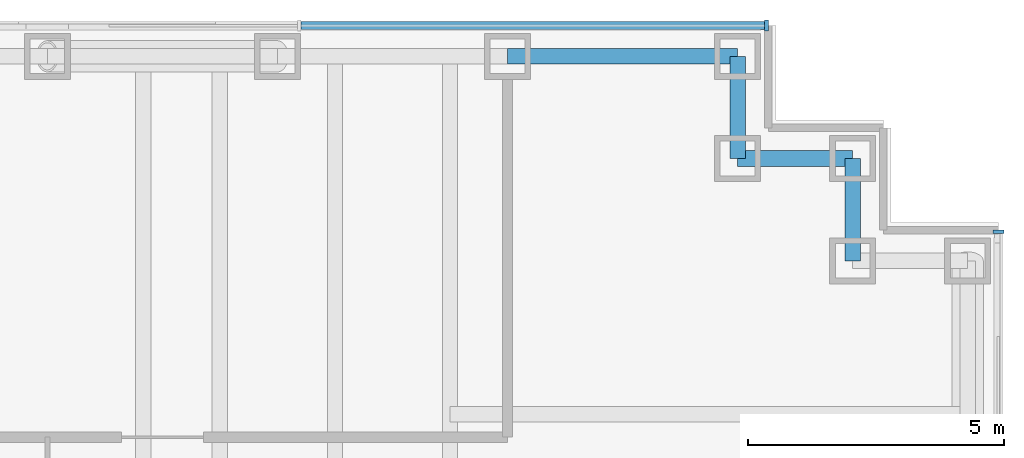
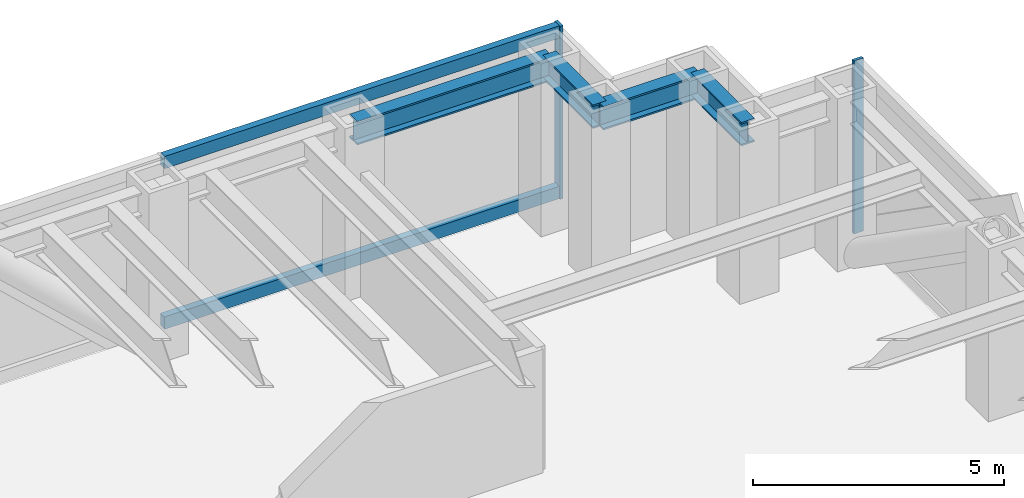
# One storey, part 9 of 15: 4 beams, 4 members, 2 elements without a shape of their own.
"""IFC4 building model written with IfcOpenShell, lengths in metres."""

from ifc_helpers import new_model, si_unit, direction, frame, origin, origin_2d, place, context, subcontext, project, spatial, rectangle, i_section, extrude, material, material_profile, profile_set, type_object, element, aggregate, save


model = new_model("IFC4")

# Units and contexts
model_context = context("Model", 3, precision=1e-05, world=origin(), true_north=direction((0.0, 1.0)))
body_context = subcontext(model_context, "Body", "Model", "MODEL_VIEW")
ifc_project = project(units=[si_unit("LENGTHUNIT", "METRE"), si_unit("AREAUNIT", "SQUARE_METRE"), si_unit("VOLUMEUNIT", "CUBIC_METRE"), si_unit("PLANEANGLEUNIT", "RADIAN"), si_unit("MASSUNIT", "GRAM", prefix="KILO")], contexts=[model_context])

# Site, building, storey
site_placement = place(None, origin())
site = spatial("IfcSite", under=ifc_project, at=site_placement, CompositionType="ELEMENT")
building_placement = place(site_placement, origin())
building = spatial("IfcBuilding", under=site, at=building_placement, Name="Rheinbord Bourse Tower", CompositionType="ELEMENT")
storey_placement = place(building_placement, frame((0.0, 0.0, 104.699951171875)))
storey = spatial("IfcBuildingStorey", under=building, at=storey_placement, Name="L22", CompositionType="ELEMENT", Elevation=104.699951171875)

# Curtain wall, member
ifc_material_1 = material(Name="Dark glass and black aluminium", Category="aluminium")
curtain_wall_type = type_object("IfcCurtainWallType", Name="CW2 DARK GLASS CURTAIN WALL", PredefinedType="USERDEFINED", material=ifc_material_1)
curtain_wall_1_placement = place(storey_placement, origin())
curtain_wall_1 = element("IfcCurtainWall", 1, at=curtain_wall_1_placement, inside=storey, type_object=curtain_wall_type, Name="Curtain wall CW2 E L22", ObjectType="UNITISED CURTAIN WALL", PredefinedType="USERDEFINED")
ifc_material_2 = material(Name="Black anodised aluminium", Category="aluminium")
ifc_material_profile_1 = material_profile(ifc_material_2, rectangle(XDim=0.219970703125, YDim=0.070068359375, at=origin_2d()), Name="CW2 MULLION 70x220")
ifc_profile_set_1 = profile_set([ifc_material_profile_1], Name="Black anodised aluminium")
member_type_1 = type_object("IfcMemberType", Name="CW2 BLACK MULLION", PredefinedType="MULLION", material=ifc_profile_set_1)
member_1_placement = place(storey_placement, frame((72.60009765625, 42.56494140625, 0.0), z_axis=(0.0, 0.0, 1.0), x_axis=(-1.0, 0.0, 0.0)))
member_1 = element("IfcMember", 2, at=member_1_placement, type_object=member_type_1, Name="CW2 mullion 6", PredefinedType="MULLION", context=body_context, shape_type="SweptSolid", body=[
    extrude(rectangle(XDim=0.219970703125, YDim=0.070068359375, at=origin_2d()), origin(), (0.0, 0.0, 1.0), 4.199951171875),
])
aggregate(curtain_wall_1, [member_1])

# Curtain wall, members
curtain_wall_2_placement = place(storey_placement, origin())
curtain_wall_2 = element("IfcCurtainWall", 3, at=curtain_wall_2_placement, inside=storey, type_object=curtain_wall_type, Name="Curtain wall CW2 N L22", ObjectType="UNITISED CURTAIN WALL", PredefinedType="USERDEFINED")
member_2_placement = place(storey_placement, frame((68.06494140625, 46.60009765625, 0.0), z_axis=(0.0, 0.0, 1.0), x_axis=(0.0, -1.0, 0.0)))
member_2 = element("IfcMember", 4, at=member_2_placement, type_object=member_type_1, Name="CW2 mullion 1", PredefinedType="MULLION", context=body_context, shape_type="SweptSolid", body=[
    extrude(rectangle(XDim=0.219970703125, YDim=0.070068359375, at=origin_2d()), origin(), (0.0, 0.0, 1.0), 4.199951171875),
])
ifc_material_3 = material(Name="Black anodised aluminium", Category="aluminium")
ifc_material_profile_2 = material_profile(ifc_material_3, rectangle(XDim=0.159912109375, YDim=0.300048828125, at=origin_2d()), Name="CW2 TRANSOM 300x160")
ifc_profile_set_2 = profile_set([ifc_material_profile_2], Name="Black anodised aluminium")
member_type_2 = type_object("IfcMemberType", Name="CW2 BLACK TRANSOM", PredefinedType="USERDEFINED", material=ifc_profile_set_2)
member_3_placement = place(storey_placement, frame((68.030029296875, 46.60009765625, 0.150146484375), z_axis=(-1.0, 0.0, 0.0), x_axis=(0.0, -1.0, 0.0)))
member_3 = element("IfcMember", 5, at=member_3_placement, type_object=member_type_2, Name="CW2 transom 1.1", ObjectType="TRANSOM", PredefinedType="USERDEFINED", context=body_context, shape_type="SweptSolid", body=[
    extrude(rectangle(XDim=0.159912109375, YDim=0.300048828125, at=origin_2d()), origin(), (0.0, 0.0, 1.0), 9.06640625),
])
member_4_placement = place(storey_placement, frame((68.030029296875, 46.60009765625, 4.050048828125), z_axis=(-1.0, 0.0, 0.0), x_axis=(0.0, -1.0, 0.0)))
member_4 = element("IfcMember", 6, at=member_4_placement, type_object=member_type_2, Name="CW2 transom 1.2", ObjectType="TRANSOM", PredefinedType="USERDEFINED", context=body_context, shape_type="SweptSolid", body=[
    extrude(rectangle(XDim=0.159912109375, YDim=0.300048828125, at=origin_2d()), origin(), (0.0, 0.0, 1.0), 9.06640625),
])
aggregate(curtain_wall_2, [member_2, member_3, member_4])

# Beams
ifc_material_4 = material(Name="Steel S460", Category="steel")
ifc_material_profile_3 = material_profile(ifc_material_4, i_section(OverallWidth=0.305908203125, OverallDepth=0.572021484375, WebThickness=0.02099609375, FlangeThickness=0.0400390625, at=origin_2d()), Name="HEM 550")
ifc_profile_set_3 = profile_set([ifc_material_profile_3], Name="Steel S460")
beam_type = type_object("IfcBeamType", Name="SPANDREL HEM 550", PredefinedType="SPANDREL", material=ifc_profile_set_3)
beam_1_placement = place(storey_placement, frame((69.75, 42.0, 3.754150390625), z_axis=(0.0, 1.0, 0.0), x_axis=(-1.0, 0.0, 0.0)))
element("IfcBeam", 7, at=beam_1_placement, inside=storey, type_object=beam_type, Name="Spandrel NE-B-NE-C under L23", PredefinedType="SPANDREL", context=body_context, shape_type="SweptSolid", body=[
    extrude(i_section(OverallWidth=0.305908203125, OverallDepth=0.572021484375, WebThickness=0.02099609375, FlangeThickness=0.0400390625, at=origin_2d()), origin(), (0.0, 0.0, 1.0), 2.0),
])
beam_2_placement = place(storey_placement, frame((69.75, 44.0, 3.754150390625), z_axis=(-1.0, 0.0, 0.0), x_axis=(0.0, -1.0, 0.0)))
element("IfcBeam", 8, at=beam_2_placement, inside=storey, type_object=beam_type, Name="Spandrel NE-C-NE-D under L23", PredefinedType="SPANDREL", context=body_context, shape_type="SweptSolid", body=[
    extrude(i_section(OverallWidth=0.305908203125, OverallDepth=0.572021484375, WebThickness=0.02099609375, FlangeThickness=0.0400390625, at=origin_2d()), origin(), (0.0, 0.0, 1.0), 2.25),
])
beam_3_placement = place(storey_placement, frame((67.5, 44.0, 3.754150390625), z_axis=(0.0, 1.0, 0.0), x_axis=(-1.0, 0.0, 0.0)))
element("IfcBeam", 9, at=beam_3_placement, inside=storey, type_object=beam_type, Name="Spandrel NE-D-NE-E under L23", PredefinedType="SPANDREL", context=body_context, shape_type="SweptSolid", body=[
    extrude(i_section(OverallWidth=0.305908203125, OverallDepth=0.572021484375, WebThickness=0.02099609375, FlangeThickness=0.0400390625, at=origin_2d()), origin(), (0.0, 0.0, 1.0), 2.0),
])
beam_4_placement = place(storey_placement, frame((67.5, 46.0, 3.754150390625), z_axis=(-1.0, 0.0, 0.0), x_axis=(0.0, -1.0, 0.0)))
element("IfcBeam", 10, at=beam_4_placement, inside=storey, type_object=beam_type, Name="Spandrel NE-E-N-63 under L23", PredefinedType="SPANDREL", context=body_context, shape_type="SweptSolid", body=[
    extrude(i_section(OverallWidth=0.305908203125, OverallDepth=0.572021484375, WebThickness=0.02099609375, FlangeThickness=0.0400390625, at=origin_2d()), origin(), (0.0, 0.0, 1.0), 4.5),
])

save(model, "model.ifc")
